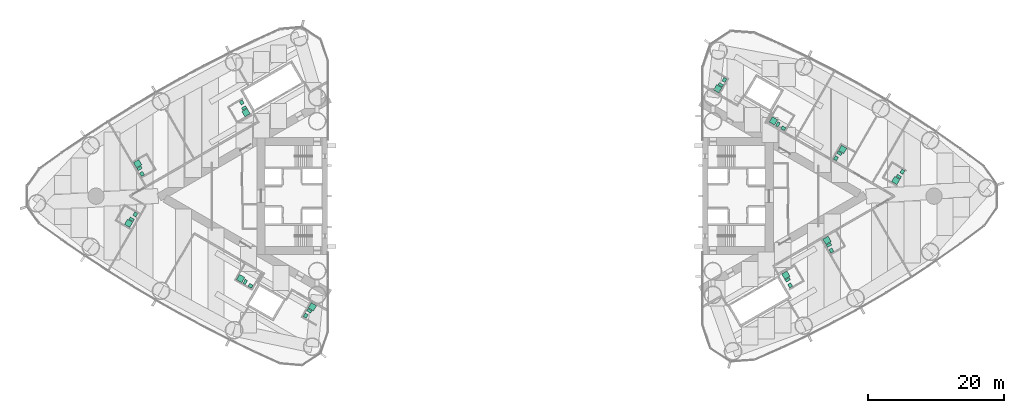
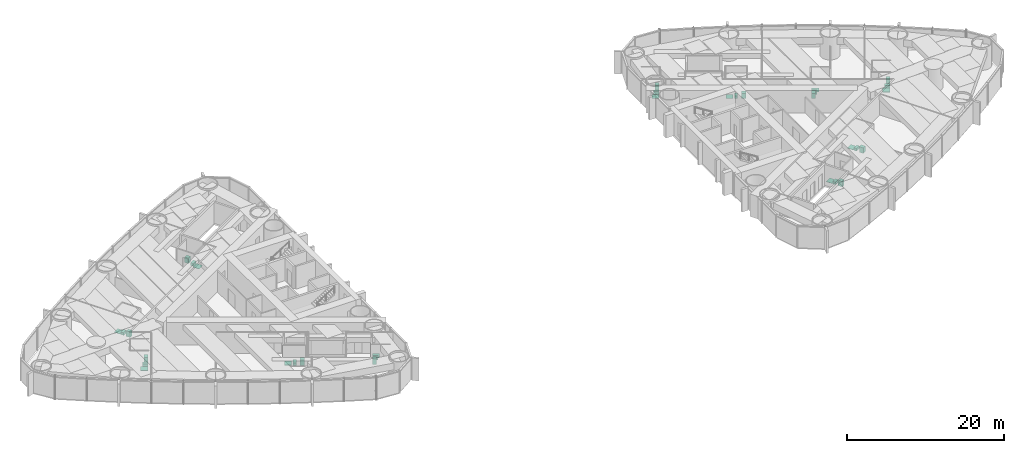
# One storey, part 19 of 19: 15 sanitary terminals.
"""IFC4 building model written with IfcOpenShell, lengths in metres."""

from ifc_helpers import new_model, si_unit, direction, frame, origin, origin_2d, place, context, subcontext, project, spatial, rectangle, extrude, material, type_object, element, save


model = new_model("IFC4")

# Units and contexts
model_context = context("Model", 3, precision=1e-05, world=origin(), true_north=direction((0.0, 1.0)))
body_context = subcontext(model_context, "Body", "Model", "MODEL_VIEW")
ifc_project = project(units=[si_unit("LENGTHUNIT", "METRE"), si_unit("AREAUNIT", "SQUARE_METRE"), si_unit("VOLUMEUNIT", "CUBIC_METRE"), si_unit("PLANEANGLEUNIT", "RADIAN"), si_unit("MASSUNIT", "GRAM", prefix="KILO")], contexts=[model_context])

# Site, building, storey
site_placement = place(None, origin())
site = spatial("IfcSite", under=ifc_project, at=site_placement, CompositionType="ELEMENT")
building_placement = place(site_placement, origin())
building = spatial("IfcBuilding", under=site, at=building_placement, Name="Lancet Gate Hotel", CompositionType="ELEMENT")
storey_placement = place(building_placement, frame((0.0, 0.0, 132.60009765625)))
storey = spatial("IfcBuildingStorey", under=building, at=storey_placement, Name="L35", CompositionType="ELEMENT", Elevation=132.60009765625)

# Sanitary terminals
ifc_material_1 = material(Name="Vitreous china sanitary ware")
sanitary_terminal_type_1 = type_object("IfcSanitaryTerminalType", Name="En-suite sanitary set (shower, WC, basin)", PredefinedType="USERDEFINED", material=ifc_material_1)
sanitary_terminal_1_placement = place(storey_placement, frame((-55.39208984375, 4.755126953125, 0.0), z_axis=(0.0, 0.0, 1.0), x_axis=(1.0, 0.0, 0.0)))
element("IfcSanitaryTerminal", 1, at=sanitary_terminal_1_placement, inside=storey, type_object=sanitary_terminal_type_1, Name="En-suite sanitary set (shower, WC, basin) 3503", ObjectType="EN-SUITE SANITARY SET", PredefinedType="USERDEFINED", context=body_context, shape_type="SweptSolid", body=[
    extrude(rectangle(XDim=0.89990234375, YDim=0.89990234375, at=origin_2d()), frame((0.0, 0.0, 0.0), z_axis=(0.0, 0.0, 1.0), x_axis=(-0.5, 0.866025403784, 0.0)), (0.0, 0.0, 1.0), 0.050048828125),
    extrude(rectangle(XDim=0.39990234375, YDim=0.699951171875, at=origin_2d()), frame((0.2783203125, -0.68212890625, 0.0), z_axis=(0.0, 0.0, 1.0), x_axis=(-0.5, 0.866025403784, 0.0)), (0.0, 0.0, 1.0), 0.39990234375),
    extrude(rectangle(XDim=0.60009765625, YDim=0.5, at=origin_2d()), frame((0.6318359375, -1.494140625, 0.0), z_axis=(0.0, 0.0, 1.0), x_axis=(-0.5, 0.866025403784, 0.0)), (0.0, 0.0, 1.0), 0.85009765625),
])
sanitary_terminal_2_placement = place(storey_placement, frame((-56.7255859375, -3.985107421875, 0.0), z_axis=(0.0, 0.0, 1.0), x_axis=(1.0, 0.0, 0.0)))
element("IfcSanitaryTerminal", 2, at=sanitary_terminal_2_placement, inside=storey, type_object=sanitary_terminal_type_1, Name="En-suite sanitary set (shower, WC, basin) 3505", ObjectType="EN-SUITE SANITARY SET", PredefinedType="USERDEFINED", context=body_context, shape_type="SweptSolid", body=[
    extrude(rectangle(XDim=0.89990234375, YDim=0.89990234375, at=origin_2d()), frame((0.0, 0.0, 0.0), z_axis=(0.0, 0.0, 1.0), x_axis=(-0.5, -0.866025403784, 0.0)), (0.0, 0.0, 1.0), 0.050048828125),
    extrude(rectangle(XDim=0.39990234375, YDim=0.699951171875, at=origin_2d()), frame((0.451416015625, 0.58203125, 0.0), z_axis=(0.0, 0.0, 1.0), x_axis=(-0.5, -0.866025403784, 0.0)), (0.0, 0.0, 1.0), 0.39990234375),
    extrude(rectangle(XDim=0.60009765625, YDim=0.5, at=origin_2d()), frame((0.97802734375, 1.294189453125, 0.0), z_axis=(0.0, 0.0, 1.0), x_axis=(-0.5, -0.866025403784, 0.0)), (0.0, 0.0, 1.0), 0.85009765625),
])
sanitary_terminal_3_placement = place(storey_placement, frame((-39.488525390625, 12.251220703125, 0.0), z_axis=(0.0, 0.0, 1.0), x_axis=(1.0, 0.0, 0.0)))
element("IfcSanitaryTerminal", 3, at=sanitary_terminal_3_placement, inside=storey, type_object=sanitary_terminal_type_1, Name="En-suite sanitary set (shower, WC, basin) 3502", ObjectType="EN-SUITE SANITARY SET", PredefinedType="USERDEFINED", context=body_context, shape_type="SweptSolid", body=[
    extrude(rectangle(XDim=0.89990234375, YDim=0.89990234375, at=origin_2d()), frame((0.0, 0.0, 0.0), z_axis=(0.0, 0.0, 1.0), x_axis=(0.5, -0.866025403784, 0.0)), (0.0, 0.0, 1.0), 0.050048828125),
    extrude(rectangle(XDim=0.39990234375, YDim=0.699951171875, at=origin_2d()), frame((-0.2783203125, 0.68212890625, 0.0), z_axis=(0.0, 0.0, 1.0), x_axis=(0.5, -0.866025403784, 0.0)), (0.0, 0.0, 1.0), 0.39990234375),
    extrude(rectangle(XDim=0.60009765625, YDim=0.5, at=origin_2d()), frame((-0.6318359375, 1.494384765625, 0.0), z_axis=(0.0, 0.0, 1.0), x_axis=(0.5, -0.866025403784, 0.0)), (0.0, 0.0, 1.0), 0.85009765625),
])
sanitary_terminal_4_placement = place(storey_placement, frame((-29.751708984375, -16.256103515625, 0.0), z_axis=(0.0, 0.0, 1.0), x_axis=(1.0, 0.0, 0.0)))
element("IfcSanitaryTerminal", 4, at=sanitary_terminal_4_placement, inside=storey, type_object=sanitary_terminal_type_1, Name="En-suite sanitary set (shower, WC, basin) 3508", ObjectType="EN-SUITE SANITARY SET", PredefinedType="USERDEFINED", context=body_context, shape_type="SweptSolid", body=[
    extrude(rectangle(XDim=0.89990234375, YDim=0.89990234375, at=origin_2d()), frame((0.0, 0.0, 0.0), z_axis=(0.0, 0.0, 1.0), x_axis=(0.5, 0.866025403784, 0.0)), (0.0, 0.0, 1.0), 0.050048828125),
    extrude(rectangle(XDim=0.39990234375, YDim=0.699951171875, at=origin_2d()), frame((-0.45166015625, -0.582275390625, 0.0), z_axis=(0.0, 0.0, 1.0), x_axis=(0.5, 0.866025403784, 0.0)), (0.0, 0.0, 1.0), 0.39990234375),
    extrude(rectangle(XDim=0.60009765625, YDim=0.5, at=origin_2d()), frame((-0.978271484375, -1.29443359375, 0.0), z_axis=(0.0, 0.0, 1.0), x_axis=(0.5, 0.866025403784, 0.0)), (0.0, 0.0, 1.0), 0.85009765625),
])
sanitary_terminal_5_placement = place(storey_placement, frame((45.797119140625, -6.4921875, 0.0), z_axis=(0.0, 0.0, 1.0), x_axis=(1.0, 0.0, 0.0)))
element("IfcSanitaryTerminal", 5, at=sanitary_terminal_5_placement, inside=storey, type_object=sanitary_terminal_type_1, Name="En-suite sanitary set (shower, WC, basin) 3555", ObjectType="EN-SUITE SANITARY SET", PredefinedType="USERDEFINED", context=body_context, shape_type="SweptSolid", body=[
    extrude(rectangle(XDim=0.89990234375, YDim=0.89990234375, at=origin_2d()), frame((0.0, 0.0, 0.0), z_axis=(0.0, 0.0, 1.0), x_axis=(-0.5, 0.866025403784, 0.0)), (0.0, 0.0, 1.0), 0.050048828125),
    extrude(rectangle(XDim=0.39990234375, YDim=0.699951171875, at=origin_2d()), frame((0.278564453125, -0.682373046875, 0.0), z_axis=(0.0, 0.0, 1.0), x_axis=(-0.5, 0.866025403784, 0.0)), (0.0, 0.0, 1.0), 0.39990234375),
    extrude(rectangle(XDim=0.60009765625, YDim=0.5, at=origin_2d()), frame((0.6318359375, -1.494384765625, 0.0), z_axis=(0.0, 0.0, 1.0), x_axis=(-0.5, 0.866025403784, 0.0)), (0.0, 0.0, 1.0), 0.85009765625),
])
sanitary_terminal_6_placement = place(storey_placement, frame((55.8798828125, 2.28759765625, 0.0), z_axis=(0.0, 0.0, 1.0), x_axis=(1.0, 0.0, 0.0)))
element("IfcSanitaryTerminal", 6, at=sanitary_terminal_6_placement, inside=storey, type_object=sanitary_terminal_type_1, Name="En-suite sanitary set (shower, WC, basin) 3558", ObjectType="EN-SUITE SANITARY SET", PredefinedType="USERDEFINED", context=body_context, shape_type="SweptSolid", body=[
    extrude(rectangle(XDim=0.89990234375, YDim=0.89990234375, at=origin_2d()), frame((0.0, 0.0, 0.0), z_axis=(0.0, 0.0, 1.0), x_axis=(-0.5, -0.866025403784, 0.0)), (0.0, 0.0, 1.0), 0.050048828125),
    extrude(rectangle(XDim=0.39990234375, YDim=0.699951171875, at=origin_2d()), frame((0.45166015625, 0.582275390625, 0.0), z_axis=(0.0, 0.0, 1.0), x_axis=(-0.5, -0.866025403784, 0.0)), (0.0, 0.0, 1.0), 0.39990234375),
    extrude(rectangle(XDim=0.60009765625, YDim=0.5, at=origin_2d()), frame((0.978271484375, 1.29443359375, 0.0), z_axis=(0.0, 0.0, 1.0), x_axis=(-0.5, -0.866025403784, 0.0)), (0.0, 0.0, 1.0), 0.85009765625),
])
sanitary_terminal_7_placement = place(storey_placement, frame((48.083740234375, 6.858154296875, 0.0), z_axis=(0.0, 0.0, 1.0), x_axis=(1.0, 0.0, 0.0)))
element("IfcSanitaryTerminal", 7, at=sanitary_terminal_7_placement, inside=storey, type_object=sanitary_terminal_type_1, Name="En-suite sanitary set (shower, WC, basin) 3560", ObjectType="EN-SUITE SANITARY SET", PredefinedType="USERDEFINED", context=body_context, shape_type="SweptSolid", body=[
    extrude(rectangle(XDim=0.89990234375, YDim=0.89990234375, at=origin_2d()), frame((0.0, 0.0, 0.0), z_axis=(0.0, 0.0, 1.0), x_axis=(0.5, 0.866025403784, 0.0)), (0.0, 0.0, 1.0), 0.050048828125),
    extrude(rectangle(XDim=0.39990234375, YDim=0.699951171875, at=origin_2d()), frame((-0.45166015625, -0.582275390625, 0.0), z_axis=(0.0, 0.0, 1.0), x_axis=(0.5, 0.866025403784, 0.0)), (0.0, 0.0, 1.0), 0.39990234375),
    extrude(rectangle(XDim=0.60009765625, YDim=0.5, at=origin_2d()), frame((-0.978271484375, -1.29443359375, 0.0), z_axis=(0.0, 0.0, 1.0), x_axis=(0.5, 0.866025403784, 0.0)), (0.0, 0.0, 1.0), 0.85009765625),
])
sanitary_terminal_8_placement = place(storey_placement, frame((39.74853515625, -11.60107421875, 0.0), z_axis=(0.0, 0.0, 1.0), x_axis=(1.0, 0.0, 0.0)))
element("IfcSanitaryTerminal", 8, at=sanitary_terminal_8_placement, inside=storey, type_object=sanitary_terminal_type_1, Name="En-suite sanitary set (shower, WC, basin) 3553", ObjectType="EN-SUITE SANITARY SET", PredefinedType="USERDEFINED", context=body_context, shape_type="SweptSolid", body=[
    extrude(rectangle(XDim=0.89990234375, YDim=0.89990234375, at=origin_2d()), frame((0.0, 0.0, 0.0), z_axis=(0.0, 0.0, 1.0), x_axis=(-0.5, 0.866025403784, 0.0)), (0.0, 0.0, 1.0), 0.050048828125),
    extrude(rectangle(XDim=0.39990234375, YDim=0.699951171875, at=origin_2d()), frame((0.2783203125, -0.68212890625, 0.0), z_axis=(0.0, 0.0, 1.0), x_axis=(-0.5, 0.866025403784, 0.0)), (0.0, 0.0, 1.0), 0.39990234375),
    extrude(rectangle(XDim=0.60009765625, YDim=0.5, at=origin_2d()), frame((0.6318359375, -1.494384765625, 0.0), z_axis=(0.0, 0.0, 1.0), x_axis=(-0.5, 0.866025403784, 0.0)), (0.0, 0.0, 1.0), 0.85009765625),
])
sanitary_terminal_9_placement = place(storey_placement, frame((29.751708984375, 15.756103515625, 0.0), z_axis=(0.0, 0.0, 1.0), x_axis=(1.0, 0.0, 0.0)))
element("IfcSanitaryTerminal", 9, at=sanitary_terminal_9_placement, inside=storey, type_object=sanitary_terminal_type_1, Name="En-suite sanitary set (shower, WC, basin) 3564", ObjectType="EN-SUITE SANITARY SET", PredefinedType="USERDEFINED", context=body_context, shape_type="SweptSolid", body=[
    extrude(rectangle(XDim=0.89990234375, YDim=0.89990234375, at=origin_2d()), frame((0.0, 0.0, 0.0), z_axis=(0.0, 0.0, 1.0), x_axis=(-0.5, -0.866025403784, 0.0)), (0.0, 0.0, 1.0), 0.050048828125),
    extrude(rectangle(XDim=0.39990234375, YDim=0.699951171875, at=origin_2d()), frame((0.45166015625, 0.582275390625, 0.0), z_axis=(0.0, 0.0, 1.0), x_axis=(-0.5, -0.866025403784, 0.0)), (0.0, 0.0, 1.0), 0.39990234375),
    extrude(rectangle(XDim=0.60009765625, YDim=0.5, at=origin_2d()), frame((0.978271484375, 1.29443359375, 0.0), z_axis=(0.0, 0.0, 1.0), x_axis=(-0.5, -0.866025403784, 0.0)), (0.0, 0.0, 1.0), 0.85009765625),
])
ifc_material_2 = material(Name="Stone resin shower tray", Category="masonry")
sanitary_terminal_type_2 = type_object("IfcSanitaryTerminalType", Name="Shower tray 900", PredefinedType="SHOWER", material=ifc_material_2)
for number, where, z_axis, x_axis, name in (
    (10, (-40.2763671875, -12.0966796875, 0.0), (0.0, 0.0, 1.0), (-0.866025403784, 0.5, 0.0), "Shower tray 900 3507"),
    (11, (37.922607421875, 11.038818359375, 0.0), (0.0, 0.0, 1.0), (-0.866025403784, 0.5, 0.0), "Shower tray 900 3562"),
):
    element("IfcSanitaryTerminal", number, at=place(storey_placement, frame(where, z_axis=z_axis, x_axis=x_axis)), inside=storey, type_object=sanitary_terminal_type_2, Name=name, PredefinedType="SHOWER", context=body_context, shape_type="SweptSolid", body=[
        extrude(rectangle(XDim=0.89990234375, YDim=0.89990234375, at=origin_2d()), origin(), (0.0, 0.0, 1.0), 0.050048828125),
    ])
ifc_material_3 = material(Name="Vitreous china sanitary ware")
sanitary_terminal_type_3 = type_object("IfcSanitaryTerminalType", Name="Vanity basin 600", PredefinedType="WASHHANDBASIN", material=ifc_material_3)
for number, where, z_axis, x_axis, name in (
    (12, (-38.808837890625, -13.1748046875, -0.000244140625), (0.0, 0.0, 1.0), (-0.866025403784, 0.5, 0.0), "Vanity basin 600 3507"),
    (13, (39.389892578125, 9.960693359375, -0.000244140625), (0.0, 0.0, 1.0), (-0.866025403784, 0.5, 0.0), "Vanity basin 600 3562"),
):
    element("IfcSanitaryTerminal", number, at=place(storey_placement, frame(where, z_axis=z_axis, x_axis=x_axis)), inside=storey, type_object=sanitary_terminal_type_3, Name=name, PredefinedType="WASHHANDBASIN", context=body_context, shape_type="SweptSolid", body=[
        extrude(rectangle(XDim=0.60009765625, YDim=0.5, at=origin_2d()), origin(), (0.0, 0.0, 1.0), 0.85009765625),
    ])
ifc_material_4 = material(Name="Vitreous china sanitary ware")
sanitary_terminal_type_4 = type_object("IfcSanitaryTerminalType", Name="WC pan wall hung", PredefinedType="TOILETPAN", material=ifc_material_4)
for number, where, z_axis, x_axis, name in (
    (14, (-39.607421875, -12.59814453125, 0.0), (0.0, 0.0, 1.0), (-0.866025403784, 0.5, 0.0), "WC pan wall hung 3507"),
    (15, (38.59130859375, 10.537109375, 0.0), (0.0, 0.0, 1.0), (-0.866025403784, 0.5, 0.0), "WC pan wall hung 3562"),
):
    element("IfcSanitaryTerminal", number, at=place(storey_placement, frame(where, z_axis=z_axis, x_axis=x_axis)), inside=storey, type_object=sanitary_terminal_type_4, Name=name, PredefinedType="TOILETPAN", context=body_context, shape_type="SweptSolid", body=[
        extrude(rectangle(XDim=0.39990234375, YDim=0.699951171875, at=origin_2d()), origin(), (0.0, 0.0, 1.0), 0.39990234375),
    ])

save(model, "model.ifc")
